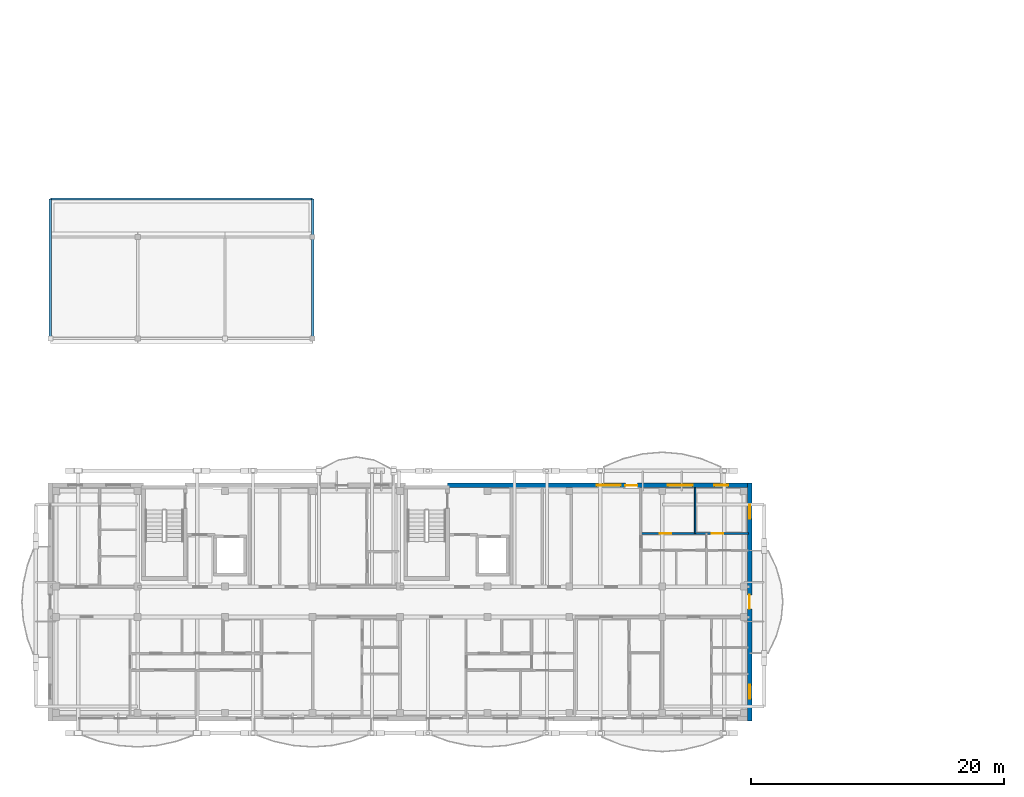
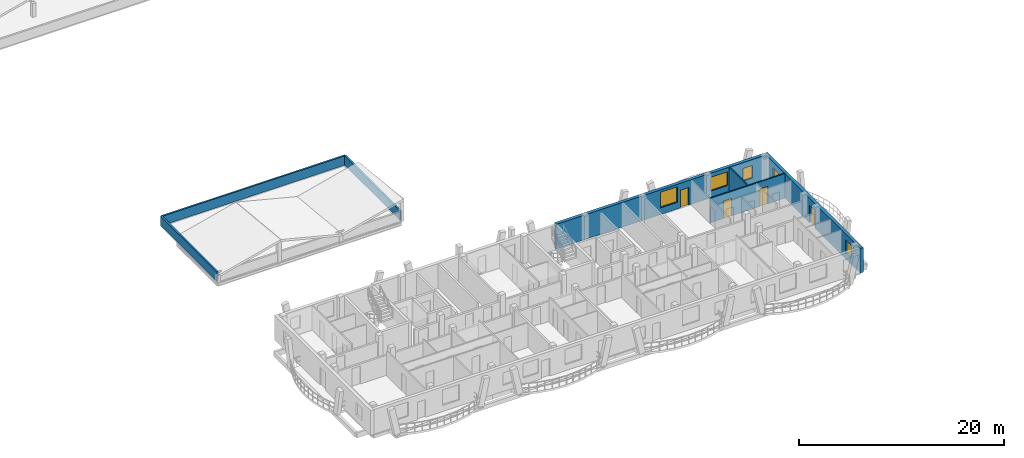
# One storey, part 21 of 50: 7 walls, 5 windows, 4 doors, 9 openings.
"""IFC4 building model written with IfcOpenShell, lengths in metres."""

from ifc_helpers import new_model, si_unit, direction, frame, frame_2d, origin, origin_with_axes, place, context, subcontext, project, spatial, rectangle, extrude, material, layer, layer_set, type_object, element, fill, save


model = new_model("IFC4")

# Units and contexts
model_context = context("Model", 3, precision=1e-05, world=origin(), true_north=direction((0.0, 1.0)))
body_context = subcontext(model_context, "Body", "Model", "MODEL_VIEW")
ifc_project = project(units=[si_unit("LENGTHUNIT", "METRE"), si_unit("AREAUNIT", "SQUARE_METRE"), si_unit("VOLUMEUNIT", "CUBIC_METRE"), si_unit("PLANEANGLEUNIT", "RADIAN"), si_unit("MASSUNIT", "GRAM", prefix="KILO")], contexts=[model_context])

# Site, building, storey
site_placement = place(None, origin())
site = spatial("IfcSite", under=ifc_project, at=site_placement, CompositionType="ELEMENT")
building_placement = place(site_placement, origin())
building = spatial("IfcBuilding", under=site, at=building_placement, Name="Zavelmont Quarter", CompositionType="ELEMENT")
storey_placement = place(building_placement, frame((0.0, 0.0, 11.199951171875)))
storey = spatial("IfcBuildingStorey", under=building, at=storey_placement, Name="L03", CompositionType="ELEMENT", Elevation=11.199951171875)

# Wall, openings, door, windows
ifc_material_1 = material(Name="Natural Belgian limestone", Category="masonry")
ifc_layer_1 = layer(ifc_material_1, 0.360107421875)
ifc_layer_set_1 = layer_set([ifc_layer_1], Name="Natural Belgian limestone")
wall_type_1 = type_object("IfcWallType", Name="EW02", PredefinedType="STANDARD", material=ifc_layer_set_1)
wall_1_placement = place(storey_placement, frame((31.35009765625, 18.39990234375, 0.0), z_axis=(0.0, 0.0, 1.0), x_axis=(1.0, 0.0, 0.0)))
wall_1 = element("IfcWall", 1, at=wall_1_placement, inside=storey, type_object=wall_type_1, Name="L03 exterior limestone wall EW02", PredefinedType="STANDARD", context=body_context, shape_type="SweptSolid", body=[
    extrude(rectangle(XDim=23.679931640625, YDim=0.360107421875, at=frame_2d((11.83984375, 0.0))), origin(), (0.0, 0.0, 1.0), 2.93994140625),
])
opening_1_placement = place(wall_1_placement, frame((14.03125, 0.0, 0.0)))
opening_1 = element("IfcOpeningElement", 2, at=opening_1_placement, cuts=wall_1, Name="Opening DR04", PredefinedType="OPENING", context=body_context, shape_type="SweptSolid", body=[
    extrude(rectangle(XDim=0.949951171875, YDim=2.10009765625, at=frame_2d((0.47509765625, 1.050048828125))), frame((0.0, 0.19189453125, 0.0), z_axis=(0.0, -1.0, 0.0), x_axis=(1.0, 0.0, 0.0)), (0.0, 0.0, 1.0), 0.384033203125),
])
opening_2_placement = place(wall_1_placement, frame((11.77001953125, 0.0, 0.800048828125)))
opening_2 = element("IfcOpeningElement", 3, at=opening_2_placement, cuts=wall_1, Name="Opening WN20", PredefinedType="OPENING", context=body_context, shape_type="SweptSolid", body=[
    extrude(rectangle(XDim=1.89990234375, YDim=1.85009765625, at=frame_2d((0.949951171875, 0.925048828125))), frame((0.0, 0.19189453125, 0.0), z_axis=(0.0, -1.0, 0.0), x_axis=(1.0, 0.0, 0.0)), (0.0, 0.0, 1.0), 0.384033203125),
])
opening_3_placement = place(wall_1_placement, frame((17.402587890625, 0.0, 0.800048828125)))
opening_3 = element("IfcOpeningElement", 4, at=opening_3_placement, cuts=wall_1, Name="Opening WN24", PredefinedType="OPENING", context=body_context, shape_type="SweptSolid", body=[
    extrude(rectangle(XDim=1.949951171875, YDim=1.64990234375, at=frame_2d((0.97509765625, 0.824951171875))), frame((0.0, 0.19189453125, 0.0), z_axis=(0.0, -1.0, 0.0), x_axis=(1.0, 0.0, 0.0)), (0.0, 0.0, 1.0), 0.384033203125),
])
opening_4_placement = place(wall_1_placement, frame((21.070068359375, 0.0, 0.719970703125)))
opening_4 = element("IfcOpeningElement", 5, at=opening_4_placement, cuts=wall_1, Name="Opening WN09", PredefinedType="OPENING", context=body_context, shape_type="SweptSolid", body=[
    extrude(rectangle(XDim=1.10009765625, YDim=1.5, at=frame_2d((0.550048828125, 0.75))), frame((0.0, 0.19189453125, 0.0), z_axis=(0.0, -1.0, 0.0), x_axis=(1.0, 0.0, 0.0)), (0.0, 0.0, 1.0), 0.384033203125),
])
ifc_material_2 = material(Name="Thermally broken aluminium and double safety glass", Category="aluminium")
door_type_1 = type_object("IfcDoorType", Name="DR04", OperationType="NOTDEFINED", PredefinedType="DOOR", material=ifc_material_2)
door_1_placement = place(opening_1_placement, frame((0.949951171875, 0.0, 0.0), z_axis=(0.0, 0.0, 1.0), x_axis=(-1.0, 0.0, 0.0)))
door_1 = element("IfcDoor", 6, at=door_1_placement, inside=storey, type_object=door_type_1, Name="Block A L03 glazed balcony door", OperationType="SINGLE_SWING_LEFT", OverallHeight=2.10009765625, OverallWidth=0.949951171875, PredefinedType="DOOR", context=body_context, shape_type="SweptSolid", body=[
    extrude(rectangle(XDim=0.949951171875, YDim=2.10009765625, at=frame_2d((0.47509765625, 1.050048828125))), frame((0.0, 0.02490234375, 0.0), z_axis=(0.0, -1.0, 0.0), x_axis=(1.0, 0.0, 0.0)), (0.0, 0.0, 1.0), 0.050048828125),
])
fill(opening_1, door_1)
ifc_material_3 = material(Name="Double low-E insulated glazing in thermally broken aluminium frame", Category="aluminium")
window_type_1 = type_object("IfcWindowType", Name="WN09", PartitioningType="SINGLE_PANEL", PredefinedType="WINDOW", material=ifc_material_3)
window_1_placement = place(opening_4_placement, origin_with_axes())
window_1 = element("IfcWindow", 7, at=window_1_placement, inside=storey, type_object=window_type_1, Name="L03 window WN09", OverallHeight=1.5, OverallWidth=1.10009765625, PartitioningType="SINGLE_PANEL", PredefinedType="WINDOW", context=body_context, shape_type="SweptSolid", body=[
    extrude(rectangle(XDim=1.10009765625, YDim=1.5, at=frame_2d((0.550048828125, 0.75))), frame((0.0, 0.030029296875, 0.0), z_axis=(0.0, -1.0, 0.0), x_axis=(1.0, 0.0, 0.0)), (0.0, 0.0, 1.0), 0.06005859375),
])
fill(opening_4, window_1)
window_type_2 = type_object("IfcWindowType", Name="WN20", PartitioningType="SINGLE_PANEL", PredefinedType="WINDOW", material=ifc_material_3)
window_2_placement = place(opening_2_placement, origin_with_axes())
window_2 = element("IfcWindow", 8, at=window_2_placement, inside=storey, type_object=window_type_2, Name="L03 window WN20", OverallHeight=1.85009765625, OverallWidth=1.89990234375, PartitioningType="SINGLE_PANEL", PredefinedType="WINDOW", context=body_context, shape_type="SweptSolid", body=[
    extrude(rectangle(XDim=1.89990234375, YDim=1.85009765625, at=frame_2d((0.949951171875, 0.925048828125))), frame((0.0, 0.030029296875, 0.0), z_axis=(0.0, -1.0, 0.0), x_axis=(1.0, 0.0, 0.0)), (0.0, 0.0, 1.0), 0.06005859375),
])
fill(opening_2, window_2)
window_type_3 = type_object("IfcWindowType", Name="WN24", PartitioningType="SINGLE_PANEL", PredefinedType="WINDOW", material=ifc_material_3)
window_3_placement = place(opening_3_placement, origin_with_axes())
window_3 = element("IfcWindow", 9, at=window_3_placement, inside=storey, type_object=window_type_3, Name="L03 window WN24", OverallHeight=1.64990234375, OverallWidth=1.949951171875, PartitioningType="SINGLE_PANEL", PredefinedType="WINDOW", context=body_context, shape_type="SweptSolid", body=[
    extrude(rectangle(XDim=1.949951171875, YDim=1.64990234375, at=frame_2d((0.97509765625, 0.824951171875))), frame((0.0, 0.030029296875, 0.0), z_axis=(0.0, -1.0, 0.0), x_axis=(1.0, 0.0, 0.0)), (0.0, 0.0, 1.0), 0.06005859375),
])
fill(opening_3, window_3)

wall_2_placement = place(storey_placement, frame((55.199951171875, -0.179931640625, 0.0), z_axis=(0.0, 0.0, 1.0), x_axis=(0.0, 1.0, 0.0)))
wall_2 = element("IfcWall", 10, at=wall_2_placement, inside=storey, type_object=wall_type_1, Name="L03 exterior limestone wall EW02", PredefinedType="STANDARD", context=body_context, shape_type="SweptSolid", body=[
    extrude(rectangle(XDim=18.760009765625, YDim=0.360107421875, at=frame_2d((9.3798828125, 0.0))), origin(), (0.0, 0.0, 1.0), 2.93994140625),
])
opening_5_placement = place(wall_2_placement, frame((8.830078125, 0.0, 0.0)))
opening_5 = element("IfcOpeningElement", 11, at=opening_5_placement, cuts=wall_2, Name="Opening DR04B", PredefinedType="OPENING", context=body_context, shape_type="SweptSolid", body=[
    extrude(rectangle(XDim=1.10009765625, YDim=2.10009765625, at=frame_2d((0.550048828125, 1.050048828125))), frame((0.0, 0.19189453125, 0.0), z_axis=(0.0, -1.0, 0.0), x_axis=(1.0, 0.0, 0.0)), (0.0, 0.0, 1.0), 0.384033203125),
])
opening_6_placement = place(wall_2_placement, frame((1.72998046875, 0.0, 0.719970703125)))
opening_6 = element("IfcOpeningElement", 12, at=opening_6_placement, cuts=wall_2, Name="Opening WN09", PredefinedType="OPENING", context=body_context, shape_type="SweptSolid", body=[
    extrude(rectangle(XDim=1.10009765625, YDim=1.5, at=frame_2d((0.550048828125, 0.75))), frame((0.0, 0.19189453125, 0.0), z_axis=(0.0, -1.0, 0.0), x_axis=(1.0, 0.0, 0.0)), (0.0, 0.0, 1.0), 0.384033203125),
])
opening_7_placement = place(wall_2_placement, frame((15.929931640625, 0.0, 0.719970703125)))
opening_7 = element("IfcOpeningElement", 13, at=opening_7_placement, cuts=wall_2, Name="Opening WN09", PredefinedType="OPENING", context=body_context, shape_type="SweptSolid", body=[
    extrude(rectangle(XDim=1.10009765625, YDim=1.5, at=frame_2d((0.550048828125, 0.75))), frame((0.0, 0.19189453125, 0.0), z_axis=(0.0, -1.0, 0.0), x_axis=(1.0, 0.0, 0.0)), (0.0, 0.0, 1.0), 0.384033203125),
])
door_type_2 = type_object("IfcDoorType", Name="DR04B", OperationType="NOTDEFINED", PredefinedType="DOOR", material=ifc_material_2)
door_2_placement = place(opening_5_placement, origin_with_axes())
door_2 = element("IfcDoor", 14, at=door_2_placement, inside=storey, type_object=door_type_2, Name="Block A L03 terrace or vase balcony door", OperationType="SINGLE_SWING_LEFT", OverallHeight=2.10009765625, OverallWidth=1.10009765625, PredefinedType="DOOR", context=body_context, shape_type="SweptSolid", body=[
    extrude(rectangle(XDim=1.10009765625, YDim=2.10009765625, at=frame_2d((0.550048828125, 1.050048828125))), frame((0.0, 0.02490234375, 0.0), z_axis=(0.0, -1.0, 0.0), x_axis=(1.0, 0.0, 0.0)), (0.0, 0.0, 1.0), 0.050048828125),
])
fill(opening_5, door_2)
window_4_placement = place(opening_6_placement, origin_with_axes())
window_4 = element("IfcWindow", 15, at=window_4_placement, inside=storey, type_object=window_type_1, Name="L03 window WN09", OverallHeight=1.5, OverallWidth=1.10009765625, PartitioningType="SINGLE_PANEL", PredefinedType="WINDOW", context=body_context, shape_type="SweptSolid", body=[
    extrude(rectangle(XDim=1.10009765625, YDim=1.5, at=frame_2d((0.550048828125, 0.75))), frame((0.0, 0.030029296875, 0.0), z_axis=(0.0, -1.0, 0.0), x_axis=(1.0, 0.0, 0.0)), (0.0, 0.0, 1.0), 0.06005859375),
])
fill(opening_6, window_4)
window_5_placement = place(opening_7_placement, origin_with_axes())
window_5 = element("IfcWindow", 16, at=window_5_placement, inside=storey, type_object=window_type_1, Name="L03 window WN09", OverallHeight=1.5, OverallWidth=1.10009765625, PartitioningType="SINGLE_PANEL", PredefinedType="WINDOW", context=body_context, shape_type="SweptSolid", body=[
    extrude(rectangle(XDim=1.10009765625, YDim=1.5, at=frame_2d((0.550048828125, 0.75))), frame((0.0, 0.030029296875, 0.0), z_axis=(0.0, -1.0, 0.0), x_axis=(1.0, 0.0, 0.0)), (0.0, 0.0, 1.0), 0.06005859375),
])
fill(opening_7, window_5)

# Wall
ifc_material_4 = material(Name="Double gypsum board on acoustic steel stud", Category="steel")
ifc_layer_2 = layer(ifc_material_4, 0.125)
ifc_layer_set_2 = layer_set([ifc_layer_2], Name="Double gypsum board on acoustic steel stud")
wall_type_2 = type_object("IfcWallType", Name="IW03", PredefinedType="PARTITIONING", material=ifc_layer_set_2)
wall_3_placement = place(storey_placement, frame((50.89990234375, 14.60009765625, 0.0), z_axis=(0.0, 0.0, 1.0), x_axis=(0.0, 1.0, 0.0)))
element("IfcWall", 17, at=wall_3_placement, inside=storey, type_object=wall_type_2, Name="L03 Partition IW03", PredefinedType="PARTITIONING", context=body_context, shape_type="SweptSolid", body=[
    extrude(rectangle(XDim=3.599853515625, YDim=0.125, at=frame_2d((1.7998046875, 0.0))), origin(), (0.0, 0.0, 1.0), 2.93994140625),
])

# Wall, openings, doors
wall_4_placement = place(storey_placement, frame((46.60009765625, 14.60009765625, 0.0), z_axis=(0.0, 0.0, 1.0), x_axis=(1.0, 0.0, 0.0)))
wall_4 = element("IfcWall", 18, at=wall_4_placement, inside=storey, type_object=wall_type_2, Name="L03 Partition IW03", PredefinedType="PARTITIONING", context=body_context, shape_type="SweptSolid", body=[
    extrude(rectangle(XDim=8.5, YDim=0.125, at=frame_2d((4.25, 0.0))), origin(), (0.0, 0.0, 1.0), 2.93994140625),
])
opening_8_placement = place(wall_4_placement, frame((1.5, 0.0, 0.0)))
opening_8 = element("IfcOpeningElement", 19, at=opening_8_placement, cuts=wall_4, Name="Opening DR05", PredefinedType="OPENING", context=body_context, shape_type="SweptSolid", body=[
    extrude(rectangle(XDim=0.89990234375, YDim=2.10009765625, at=frame_2d((0.449951171875, 1.050048828125))), frame((0.0, 0.074462890625, 0.0), z_axis=(0.0, -1.0, 0.0), x_axis=(1.0, 0.0, 0.0)), (0.0, 0.0, 1.0), 0.14892578125),
])
opening_9_placement = place(wall_4_placement, frame((5.60009765625, 0.0, 0.0)))
opening_9 = element("IfcOpeningElement", 20, at=opening_9_placement, cuts=wall_4, Name="Opening DR05", PredefinedType="OPENING", context=body_context, shape_type="SweptSolid", body=[
    extrude(rectangle(XDim=0.89990234375, YDim=2.10009765625, at=frame_2d((0.449951171875, 1.050048828125))), frame((0.0, 0.074462890625, 0.0), z_axis=(0.0, -1.0, 0.0), x_axis=(1.0, 0.0, 0.0)), (0.0, 0.0, 1.0), 0.14892578125),
])
ifc_material_5 = material(Name="Engineered oak flush interior door")
door_type_3 = type_object("IfcDoorType", Name="DR05", OperationType="NOTDEFINED", PredefinedType="DOOR", material=ifc_material_5)
door_3_placement = place(opening_8_placement, origin_with_axes())
door_3 = element("IfcDoor", 21, at=door_3_placement, inside=storey, type_object=door_type_3, Name="L03 door DR05", OperationType="SINGLE_SWING_LEFT", OverallHeight=2.10009765625, OverallWidth=0.89990234375, PredefinedType="DOOR", context=body_context, shape_type="SweptSolid", body=[
    extrude(rectangle(XDim=0.89990234375, YDim=2.10009765625, at=frame_2d((0.449951171875, 1.050048828125))), frame((0.0, 0.02490234375, 0.0), z_axis=(0.0, -1.0, 0.0), x_axis=(1.0, 0.0, 0.0)), (0.0, 0.0, 1.0), 0.050048828125),
])
fill(opening_8, door_3)
door_4_placement = place(opening_9_placement, frame((0.89990234375, 0.0, 0.0), z_axis=(0.0, 0.0, 1.0), x_axis=(-1.0, 0.0, 0.0)))
door_4 = element("IfcDoor", 22, at=door_4_placement, inside=storey, type_object=door_type_3, Name="L03 door DR05", OperationType="SINGLE_SWING_RIGHT", OverallHeight=2.10009765625, OverallWidth=0.89990234375, PredefinedType="DOOR", context=body_context, shape_type="SweptSolid", body=[
    extrude(rectangle(XDim=0.89990234375, YDim=2.10009765625, at=frame_2d((0.449951171875, 1.050048828125))), frame((0.0, 0.02490234375, 0.0), z_axis=(0.0, -1.0, 0.0), x_axis=(1.0, 0.0, 0.0)), (0.0, 0.0, 1.0), 0.050048828125),
])
fill(opening_9, door_4)

# Walls
ifc_layer_3 = layer(ifc_material_1, 0.18994140625)
ifc_layer_set_3 = layer_set([ifc_layer_3], Name="Natural Belgian limestone")
wall_type_3 = type_object("IfcWallType", Name="PW03", PredefinedType="PARAPET", material=ifc_layer_set_3)
wall_5_placement = place(storey_placement, frame((20.699951171875, 30.0, 0.0), z_axis=(0.0, 0.0, 1.0), x_axis=(0.0, 1.0, 0.0)))
element("IfcWall", 23, at=wall_5_placement, inside=storey, type_object=wall_type_3, Name="L03 roof parapet PW03", PredefinedType="PARAPET", context=body_context, shape_type="SweptSolid", body=[
    extrude(rectangle(XDim=11.0, YDim=0.18994140625, at=frame_2d((5.5, 0.0))), origin(), (0.0, 0.0, 1.0), 1.1201171875),
])
wall_6_placement = place(storey_placement, frame((20.699951171875, 41.0, 0.0), z_axis=(0.0, 0.0, 1.0), x_axis=(-1.0, 0.0, 0.0)))
element("IfcWall", 24, at=wall_6_placement, inside=storey, type_object=wall_type_3, Name="L03 roof parapet PW03", PredefinedType="PARAPET", context=body_context, shape_type="SweptSolid", body=[
    extrude(rectangle(XDim=20.699951171875, YDim=0.18994140625, at=frame_2d((10.35009765625, 0.0))), origin(), (0.0, 0.0, 1.0), 1.1201171875),
])
wall_7_placement = place(storey_placement, frame((0.0, 41.0, 0.0), z_axis=(0.0, 0.0, 1.0), x_axis=(0.0, -1.0, 0.0)))
element("IfcWall", 25, at=wall_7_placement, inside=storey, type_object=wall_type_3, Name="L03 roof parapet PW03", PredefinedType="PARAPET", context=body_context, shape_type="SweptSolid", body=[
    extrude(rectangle(XDim=11.0, YDim=0.18994140625, at=frame_2d((5.5, 0.0))), origin(), (0.0, 0.0, 1.0), 1.1201171875),
])

save(model, "model.ifc")
